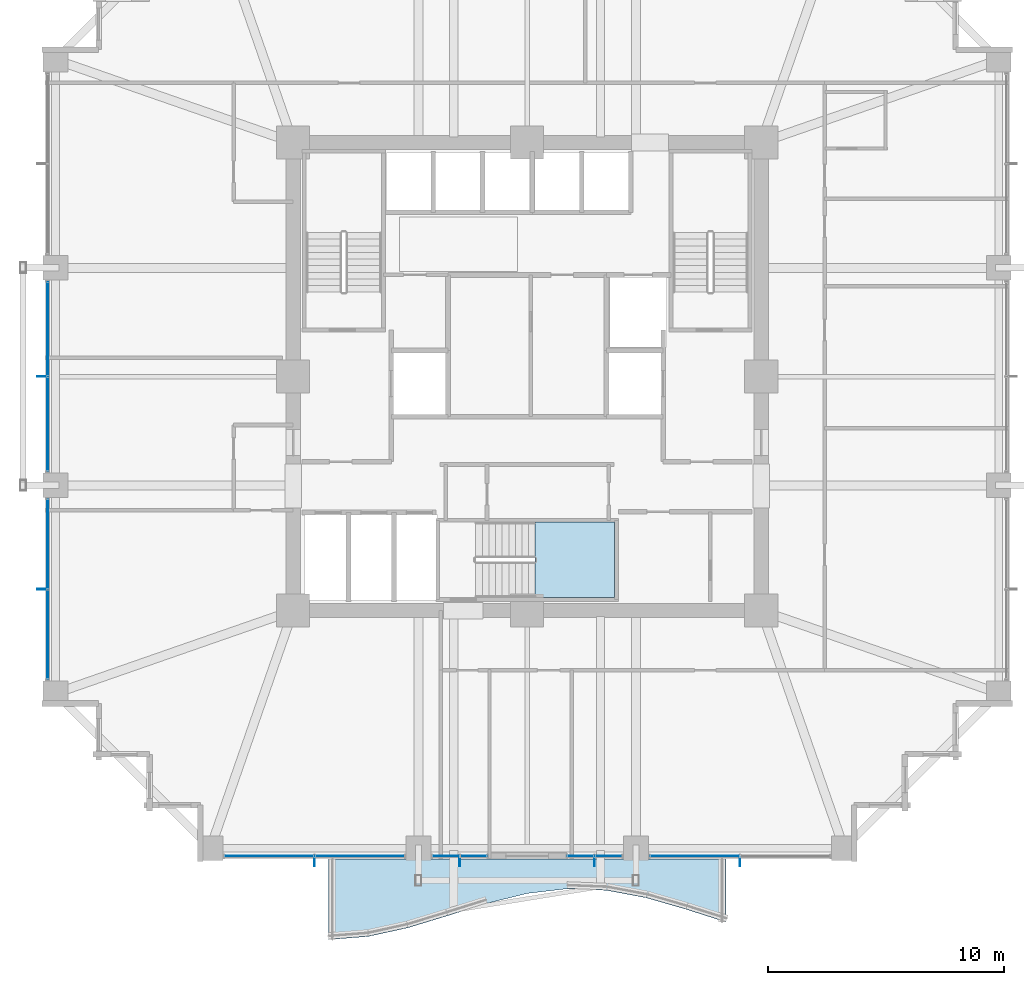
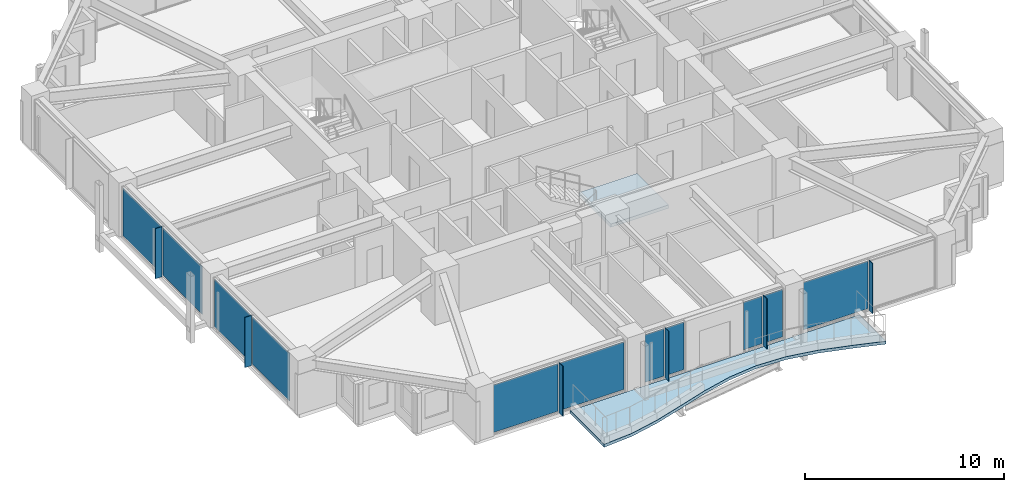
# One storey, part 27 of 38: 17 plates, 2 slabs, 7 elements without a shape of their own.
"""IFC4 building model written with IfcOpenShell, lengths in metres."""

from ifc_helpers import new_model, si_unit, direction, frame, origin, origin_2d, place, context, subcontext, project, spatial, polyline, rectangle, outline, extrude, material, layer, layer_set, type_object, element, aggregate, save


model = new_model("IFC4")

# Units and contexts
model_context = context("Model", 3, precision=1e-05, world=origin(), true_north=direction((0.0, 1.0)))
body_context = subcontext(model_context, "Body", "Model", "MODEL_VIEW")
ifc_project = project(units=[si_unit("LENGTHUNIT", "METRE"), si_unit("AREAUNIT", "SQUARE_METRE"), si_unit("VOLUMEUNIT", "CUBIC_METRE"), si_unit("PLANEANGLEUNIT", "RADIAN"), si_unit("MASSUNIT", "GRAM", prefix="KILO")], contexts=[model_context])

# Site, building, storey
site_placement = place(None, origin())
site = spatial("IfcSite", under=ifc_project, at=site_placement, CompositionType="ELEMENT")
building_placement = place(site_placement, origin())
building = spatial("IfcBuilding", under=site, at=building_placement, Name="Kolvaren Belvedere", CompositionType="ELEMENT")
storey_placement = place(building_placement, frame((0.0, 0.0, 72.199951171875)))
storey = spatial("IfcBuildingStorey", under=building, at=storey_placement, Name="L20", CompositionType="ELEMENT", Elevation=72.199951171875)

# Curtain wall, plate
ifc_material_1 = material(Name="Anodised pale-metal aluminium AA 6063-T6", Category="aluminium")
curtain_wall_type = type_object("IfcCurtainWallType", Name="CW-Z2-MID", PredefinedType="NOTDEFINED", material=ifc_material_1)
curtain_wall_1_placement = place(storey_placement, origin())
curtain_wall_1 = element("IfcCurtainWall", 1, at=curtain_wall_1_placement, inside=storey, type_object=curtain_wall_type, Name="L20 Unitised Curtain Wall FCW-L20-S1-B1", PredefinedType="NOTDEFINED")
ifc_material_2 = material(Name="Low-iron triple insulated glass", Category="glass")
ifc_layer_1 = layer(ifc_material_2, 0.028076171875)
ifc_layer_set_1 = layer_set([ifc_layer_1], Name="Low-iron triple insulated glass")
plate_type_1 = type_object("IfcPlateType", Name="CW-PNL-VIS28", PredefinedType="CURTAIN_PANEL", material=ifc_layer_set_1)
plate_1_placement = place(storey_placement, frame((7.0888671875, -20.280029296875, 0.080078125), z_axis=(0.0, 0.0, 1.0), x_axis=(-1.0, 0.0, 0.0)))
plate_1 = element("IfcPlate", 2, at=plate_1_placement, type_object=plate_type_1, Name="FCW-L20-S1-B1 Vision Glazing Panel 2", PredefinedType="CURTAIN_PANEL", context=body_context, shape_type="SweptSolid", body=[
    extrude(rectangle(XDim=3.742431640625, YDim=0.028076171875, at=origin_2d()), origin(), (0.0, 0.0, 1.0), 2.919921875),
])
aggregate(curtain_wall_1, [plate_1])

# Curtain wall, plates
curtain_wall_2_placement = place(storey_placement, origin())
curtain_wall_2 = element("IfcCurtainWall", 3, at=curtain_wall_2_placement, inside=storey, type_object=curtain_wall_type, Name="L20 Unitised Curtain Wall FCW-L20-S1-B2", PredefinedType="NOTDEFINED")
plate_2_placement = place(storey_placement, frame((3.43701171875, -20.280029296875, 0.080078125), z_axis=(0.0, 0.0, 1.0), x_axis=(-1.0, 0.0, 0.0)))
plate_2 = element("IfcPlate", 4, at=plate_2_placement, type_object=plate_type_1, Name="FCW-L20-S1-B2 Vision Glazing Panel 1", PredefinedType="CURTAIN_PANEL", context=body_context, shape_type="SweptSolid", body=[
    extrude(rectangle(XDim=1.09130859375, YDim=0.028076171875, at=origin_2d()), origin(), (0.0, 0.0, 1.0), 2.919921875),
])
plate_3_placement = place(storey_placement, frame((2.265625, -20.280029296875, 0.080078125), z_axis=(0.0, 0.0, 1.0), x_axis=(-1.0, 0.0, 0.0)))
plate_3 = element("IfcPlate", 5, at=plate_3_placement, type_object=plate_type_1, Name="FCW-L20-S1-B2 Vision Glazing Panel 2", PredefinedType="CURTAIN_PANEL", context=body_context, shape_type="SweptSolid", body=[
    extrude(rectangle(XDim=1.09130859375, YDim=0.028076171875, at=origin_2d()), origin(), (0.0, 0.0, 1.0), 2.919921875),
])
aggregate(curtain_wall_2, [plate_2, plate_3])

curtain_wall_3_placement = place(storey_placement, origin())
curtain_wall_3 = element("IfcCurtainWall", 6, at=curtain_wall_3_placement, inside=storey, type_object=curtain_wall_type, Name="L20 Unitised Curtain Wall FCW-L20-S2-B1", PredefinedType="NOTDEFINED")
plate_4_placement = place(storey_placement, frame((-2.265625, -20.280029296875, 0.080078125), z_axis=(0.0, 0.0, 1.0), x_axis=(-1.0, 0.0, 0.0)))
plate_4 = element("IfcPlate", 7, at=plate_4_placement, type_object=plate_type_1, Name="FCW-L20-S2-B1 Vision Glazing Panel 1", PredefinedType="CURTAIN_PANEL", context=body_context, shape_type="SweptSolid", body=[
    extrude(rectangle(XDim=1.09130859375, YDim=0.028076171875, at=origin_2d()), origin(), (0.0, 0.0, 1.0), 2.919921875),
])
plate_5_placement = place(storey_placement, frame((-3.43701171875, -20.280029296875, 0.080078125), z_axis=(0.0, 0.0, 1.0), x_axis=(-1.0, 0.0, 0.0)))
plate_5 = element("IfcPlate", 8, at=plate_5_placement, type_object=plate_type_1, Name="FCW-L20-S2-B1 Vision Glazing Panel 2", PredefinedType="CURTAIN_PANEL", context=body_context, shape_type="SweptSolid", body=[
    extrude(rectangle(XDim=1.09130859375, YDim=0.028076171875, at=origin_2d()), origin(), (0.0, 0.0, 1.0), 2.919921875),
])
aggregate(curtain_wall_3, [plate_4, plate_5])

curtain_wall_4_placement = place(storey_placement, origin())
curtain_wall_4 = element("IfcCurtainWall", 9, at=curtain_wall_4_placement, inside=storey, type_object=curtain_wall_type, Name="L20 Unitised Curtain Wall FCW-L20-S2-B2", PredefinedType="NOTDEFINED")
plate_6_placement = place(storey_placement, frame((-7.0888671875, -20.280029296875, 0.080078125), z_axis=(0.0, 0.0, 1.0), x_axis=(-1.0, 0.0, 0.0)))
plate_6 = element("IfcPlate", 10, at=plate_6_placement, type_object=plate_type_1, Name="FCW-L20-S2-B2 Vision Glazing Panel 1", PredefinedType="CURTAIN_PANEL", context=body_context, shape_type="SweptSolid", body=[
    extrude(rectangle(XDim=3.742431640625, YDim=0.028076171875, at=origin_2d()), origin(), (0.0, 0.0, 1.0), 2.919921875),
])
plate_7_placement = place(storey_placement, frame((-10.9111328125, -20.280029296875, 0.080078125), z_axis=(0.0, 0.0, 1.0), x_axis=(-1.0, 0.0, 0.0)))
plate_7 = element("IfcPlate", 11, at=plate_7_placement, type_object=plate_type_1, Name="FCW-L20-S2-B2 Vision Glazing Panel 2", PredefinedType="CURTAIN_PANEL", context=body_context, shape_type="SweptSolid", body=[
    extrude(rectangle(XDim=3.742431640625, YDim=0.028076171875, at=origin_2d()), origin(), (0.0, 0.0, 1.0), 2.919921875),
])
aggregate(curtain_wall_4, [plate_6, plate_7])

curtain_wall_5_placement = place(storey_placement, origin())
curtain_wall_5 = element("IfcCurtainWall", 12, at=curtain_wall_5_placement, inside=storey, type_object=curtain_wall_type, Name="L20 Unitised Curtain Wall FCW-L20-W-B1", PredefinedType="NOTDEFINED")
plate_8_placement = place(storey_placement, frame((-20.280029296875, -10.9111328125, 0.080078125), z_axis=(0.0, 0.0, 1.0), x_axis=(0.0, 1.0, 0.0)))
plate_8 = element("IfcPlate", 13, at=plate_8_placement, type_object=plate_type_1, Name="FCW-L20-W-B1 Vision Glazing Panel 1", PredefinedType="CURTAIN_PANEL", context=body_context, shape_type="SweptSolid", body=[
    extrude(rectangle(XDim=3.742431640625, YDim=0.028076171875, at=origin_2d()), origin(), (0.0, 0.0, 1.0), 2.919921875),
])
plate_9_placement = place(storey_placement, frame((-20.280029296875, -7.0888671875, 0.080078125), z_axis=(0.0, 0.0, 1.0), x_axis=(0.0, 1.0, 0.0)))
plate_9 = element("IfcPlate", 14, at=plate_9_placement, type_object=plate_type_1, Name="FCW-L20-W-B1 Vision Glazing Panel 2", PredefinedType="CURTAIN_PANEL", context=body_context, shape_type="SweptSolid", body=[
    extrude(rectangle(XDim=3.742431640625, YDim=0.028076171875, at=origin_2d()), origin(), (0.0, 0.0, 1.0), 2.919921875),
])
aggregate(curtain_wall_5, [plate_8, plate_9])

curtain_wall_6_placement = place(storey_placement, origin())
curtain_wall_6 = element("IfcCurtainWall", 15, at=curtain_wall_6_placement, inside=storey, type_object=curtain_wall_type, Name="L20 Unitised Curtain Wall FCW-L20-W-B2", PredefinedType="NOTDEFINED")
plate_10_placement = place(storey_placement, frame((-20.280029296875, -2.01123046875, 0.080078125), z_axis=(0.0, 0.0, 1.0), x_axis=(0.0, 1.0, 0.0)))
plate_10 = element("IfcPlate", 16, at=plate_10_placement, type_object=plate_type_1, Name="FCW-L20-W-B2 Vision Glazing Panel 1", PredefinedType="CURTAIN_PANEL", context=body_context, shape_type="SweptSolid", body=[
    extrude(rectangle(XDim=3.9423828125, YDim=0.028076171875, at=origin_2d()), origin(), (0.0, 0.0, 1.0), 2.919921875),
])
plate_11_placement = place(storey_placement, frame((-20.280029296875, 2.01123046875, 0.080078125), z_axis=(0.0, 0.0, 1.0), x_axis=(0.0, 1.0, 0.0)))
plate_11 = element("IfcPlate", 17, at=plate_11_placement, type_object=plate_type_1, Name="FCW-L20-W-B2 Vision Glazing Panel 2", PredefinedType="CURTAIN_PANEL", context=body_context, shape_type="SweptSolid", body=[
    extrude(rectangle(XDim=3.9423828125, YDim=0.028076171875, at=origin_2d()), origin(), (0.0, 0.0, 1.0), 2.919921875),
])
aggregate(curtain_wall_6, [plate_10, plate_11])

# Plates
ifc_material_3 = material(Name="Anodised pale-metal aluminium AA 6063-T6", Category="aluminium")
ifc_layer_2 = layer(ifc_material_3, 0.033935546875)
ifc_layer_set_2 = layer_set([ifc_layer_2], Name="Anodised pale-metal aluminium AA 6063-T6")
plate_type_2 = type_object("IfcPlateType", Name="FIN-VERT-380", PredefinedType="USERDEFINED", material=ifc_layer_set_2)
for number, where, z_axis, x_axis, name in (
    (18, (9.0, -20.52490234375, 0.0), (0.0, 0.0, 1.0), (0.0, 1.0, 0.0), "L20 Pale-Metal Vertical Shading Fin FCW-L20-S1-B1-1"),
    (19, (2.851318359375, -20.52490234375, 0.0), (0.0, 0.0, 1.0), (0.0, 1.0, 0.0), "L20 Pale-Metal Vertical Shading Fin FCW-L20-S1-B2-1"),
    (20, (-2.851318359375, -20.52490234375, 0.0), (0.0, 0.0, 1.0), (0.0, 1.0, 0.0), "L20 Pale-Metal Vertical Shading Fin FCW-L20-S2-B1-1"),
    (21, (-9.0, -20.52490234375, 0.0), (0.0, 0.0, 1.0), (0.0, 1.0, 0.0), "L20 Pale-Metal Vertical Shading Fin FCW-L20-S2-B2-1"),
    (22, (-20.52490234375, -9.0, 0.0), (0.0, 0.0, 1.0), (1.0, 0.0, 0.0), "L20 Pale-Metal Vertical Shading Fin FCW-L20-W-B1-1"),
    (23, (-20.52490234375, 0.0, 0.0), (0.0, 0.0, 1.0), (1.0, 0.0, 0.0), "L20 Pale-Metal Vertical Shading Fin FCW-L20-W-B2-1"),
):
    element("IfcPlate", number, at=place(storey_placement, frame(where, z_axis=z_axis, x_axis=x_axis)), inside=storey, type_object=plate_type_2, Name=name, ObjectType="VERTICAL FIN", PredefinedType="USERDEFINED", context=body_context, shape_type="SweptSolid", body=[
        extrude(rectangle(XDim=0.3798828125, YDim=0.033935546875, at=origin_2d()), origin(), (0.0, 0.0, 1.0), 3.080078125),
    ])

# Slab
ifc_material_4 = material(Name="Concrete C50/60", Category="concrete")
ifc_layer_3 = layer(ifc_material_4, 0.179931640625)
ifc_layer_set_3 = layer_set([ifc_layer_3], Name="Concrete C50/60")
slab_type_1 = type_object("IfcSlabType", Name="SL-BAL-180", PredefinedType="FLOOR", material=ifc_layer_set_3)
slab_1_placement = place(storey_placement, frame((0.0, 0.0, -0.219970703125)))
element("IfcSlab", 24, at=slab_1_placement, inside=storey, type_object=slab_type_1, Name="L20 Planted Balcony BAL-S", PredefinedType="FLOOR", context=body_context, shape_type="SweptSolid", body=[
    extrude(outline(polyline([(-8.39990234375, -23.820068359375), (-6.719970703125, -23.686279296875), (-5.0400390625, -23.318603515625), (-3.360107421875, -22.807861328125), (-1.679931640625, -22.2802734375), (0.0, -21.8662109375), (1.679931640625, -21.66845703125), (3.360107421875, -21.73583984375), (5.0400390625, -22.051513671875), (6.719970703125, -22.53759765625), (8.39990234375, -23.07373046875), (8.39990234375, -20.39990234375), (6.719970703125, -20.39990234375), (5.0400390625, -20.39990234375), (3.360107421875, -20.39990234375), (1.679931640625, -20.39990234375), (0.0, -20.39990234375), (-1.679931640625, -20.39990234375), (-3.360107421875, -20.39990234375), (-5.0400390625, -20.39990234375), (-6.719970703125, -20.39990234375), (-8.39990234375, -20.39990234375), (-8.39990234375, -23.820068359375)])), origin(), (0.0, 0.0, 1.0), 0.179931640625),
])

# Stair, slab
ifc_material_5 = material(Name="Concrete C50/60", Category="concrete")
stair_type = type_object("IfcStairType", Name="ST-CORE-1520", PredefinedType="HALF_TURN_STAIR", material=ifc_material_5)
stair_placement = place(storey_placement, origin())
stair = element("IfcStair", 25, at=stair_placement, inside=storey, type_object=stair_type, Name="L20 Protected Exit Stair ST-3", PredefinedType="HALF_TURN_STAIR")
ifc_material_6 = material(Name="Concrete C50/60", Category="concrete")
ifc_layer_4 = layer(ifc_material_6, 0.260009765625)
ifc_layer_set_4 = layer_set([ifc_layer_4], Name="Concrete C50/60")
slab_type_2 = type_object("IfcSlabType", Name="SL-LAND-260", PredefinedType="LANDING", material=ifc_layer_set_4)
slab_2_placement = place(storey_placement, frame((0.0, 0.0, 1.449951171875)))
slab_2 = element("IfcSlab", 26, at=slab_2_placement, type_object=slab_type_2, Name="ST-3 landing 1", PredefinedType="LANDING", context=body_context, shape_type="SweptSolid", body=[
    extrude(outline(polyline([(0.340087890625, -9.35009765625), (3.699951171875, -9.35009765625), (3.699951171875, -6.159912109375), (0.340087890625, -6.159912109375), (0.340087890625, -9.35009765625)])), origin(), (0.0, 0.0, 1.0), 0.2001953125),
])
aggregate(stair, [slab_2])

save(model, "model.ifc")
